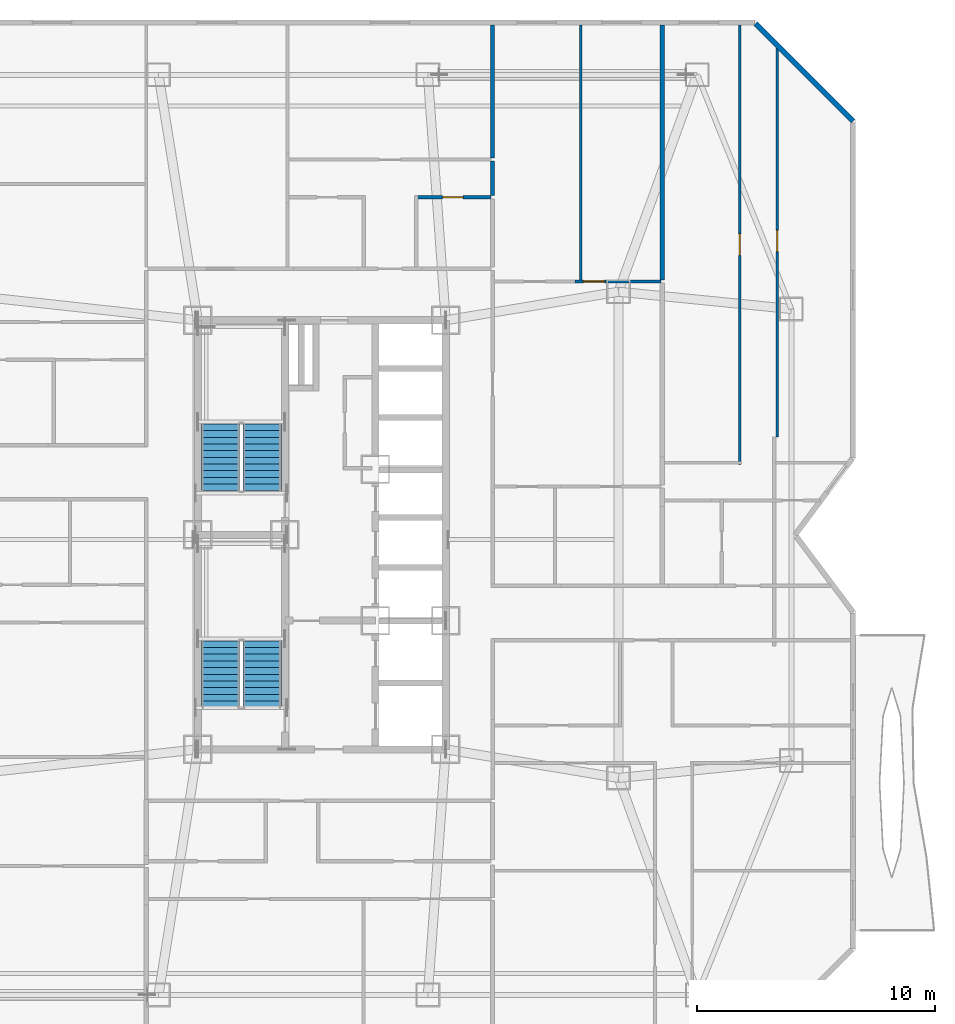
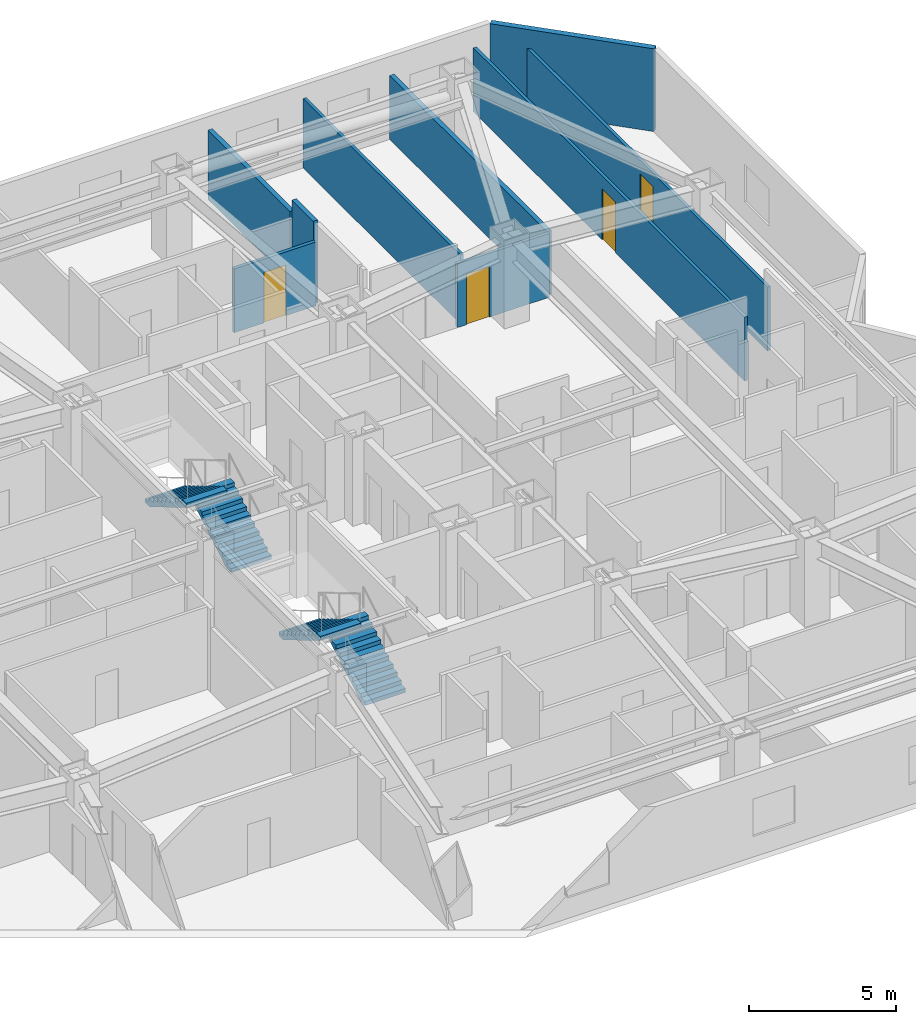
# One storey, part 12 of 14: 9 walls, 4 doors, 4 stair flights, 4 openings, 2 elements without a shape of their own.
"""IFC4 building model written with IfcOpenShell, lengths in metres."""

import ifcopenshell
import ifcopenshell.guid

model = None  # the IFC model being written
_history = None  # IfcOwnerHistory: only IFC2X3 demands one
_inside = {}  # id of a spatial element -> (the spatial element, [elements in it])
_under = {}  # id of a project, library or spatial element -> (it, [spatial elements below it])
_declared = {}  # id of a project -> (the project, [libraries it declares])
_typed = {}  # id of a type object -> (the type object, [elements of that type])
_made_of = {}  # id of a material, layer set ... -> (it, [elements and type objects made of it])


def new_model(schema):
    """Start an empty IFC model of exactly this schema.

    Asked for "IFC4X3", IfcOpenShell would pick the latest addendum, in which some entities
    have other attributes; the version numbers below select the first issue.
    IFC2X3 requires an IfcOwnerHistory on every rooted entity: one is made here for all.
    """
    global model, _history
    if schema == "IFC4X3":
        model = ifcopenshell.file(schema_version=(4, 3, 0, 0))
    else:
        model = ifcopenshell.file(schema=schema)
    _inside.clear()
    _under.clear()
    _declared.clear()
    _typed.clear()
    _made_of.clear()
    _history = None
    if model.schema == "IFC2X3":
        org = make("IfcOrganization", Name="unknown")
        user = make(
            "IfcPersonAndOrganization",
            ThePerson=make("IfcPerson", FamilyName="unknown"),
            TheOrganization=org,
        )
        app = make(
            "IfcApplication",
            ApplicationDeveloper=org,
            Version="unknown",
            ApplicationFullName="unknown",
            ApplicationIdentifier="unknown",
        )
        _history = make(
            "IfcOwnerHistory",
            OwningUser=user,
            OwningApplication=app,
            ChangeAction="ADDED",
            CreationDate=0,
        )
    return model


def make(cls, **values):
    """One entity of the class cls with the attributes given. An attribute that is None is left unset."""
    return model.create_entity(
        cls, **{name: value for name, value in values.items() if value is not None}
    )


def rooted(cls, **values):
    """An entity with a GlobalId (a new one), such as an element, a storey or a relation."""
    return make(cls, GlobalId=ifcopenshell.guid.new(), OwnerHistory=_history, **values)


def si_unit(unit_type, name, prefix=None):
    """IfcSIUnit, for example si_unit("LENGTHUNIT", "METRE", prefix="MILLI")."""
    return make("IfcSIUnit", UnitType=unit_type, Prefix=prefix, Name=name)


def assignment(units):
    """IfcUnitAssignment: the units of a project."""
    return None if units is None else make("IfcUnitAssignment", Units=units)


def point(xyz):
    """IfcCartesianPoint."""
    return None if xyz is None else make("IfcCartesianPoint", Coordinates=xyz)


def direction(xyz):
    """IfcDirection."""
    return None if xyz is None else make("IfcDirection", DirectionRatios=xyz)


def frame(location, z_axis=None, x_axis=None):
    """IfcAxis2Placement3D, a coordinate frame: its origin and axes. An axis left out is left unset."""
    return make(
        "IfcAxis2Placement3D",
        Location=point(location),
        Axis=direction(z_axis),
        RefDirection=direction(x_axis),
    )


def frame_2d(location, x_axis=None):
    """IfcAxis2Placement2D, a coordinate frame in the plane: its origin and x axis."""
    return make(
        "IfcAxis2Placement2D", Location=point(location), RefDirection=direction(x_axis)
    )


def origin():
    """The frame at (0, 0, 0) with its axes left unset."""
    return frame((0.0, 0.0, 0.0))


def place(relative_to, where):
    """IfcLocalPlacement: puts the frame where relative to a parent placement (None: the world)."""
    return make(
        "IfcLocalPlacement", PlacementRelTo=relative_to, RelativePlacement=where
    )


def context(
    kind, dimensions, precision=None, world=None, true_north=None, identifier=None
):
    """IfcGeometricRepresentationContext, for example the 3D "Model" context."""
    return make(
        "IfcGeometricRepresentationContext",
        ContextIdentifier=identifier,
        ContextType=kind,
        CoordinateSpaceDimension=dimensions,
        Precision=precision,
        WorldCoordinateSystem=world,
        TrueNorth=true_north,
    )


def subcontext(parent, identifier, kind, view, scale=None):
    """IfcGeometricRepresentationSubContext, for example "Body" below "Model"."""
    return make(
        "IfcGeometricRepresentationSubContext",
        ContextIdentifier=identifier,
        ContextType=kind,
        ParentContext=parent,
        TargetScale=scale,
        TargetView=view,
    )


def project(units=None, contexts=None):
    """IfcProject with its units and contexts."""
    return rooted(
        "IfcProject",
        Name="project",
        RepresentationContexts=contexts,
        UnitsInContext=assignment(units),
    )


def spatial(cls, under=None, at=None, **own):
    """A site, building, storey or space (cls), placed at a placement, below another one or the project."""
    s = rooted(cls, ObjectPlacement=at, **own)
    if under is not None:
        _under.setdefault(under.id(), (under, []))[1].append(s)
    return s


def polyline(points):
    """IfcPolyline through the points."""
    return make("IfcPolyline", Points=[point(p) for p in points])


def profile(cls, at=None, kind="AREA", **sizes):
    """A parametric profile (cls). Its sizes go by their IFC names, for example OverallWidth=200.0."""
    return make(cls, ProfileType=kind, Position=at, **sizes)


def rectangle(**sizes):
    """IfcRectangleProfileDef."""
    return profile("IfcRectangleProfileDef", **sizes)


def outline(outer, holes=None, kind="AREA"):
    """IfcArbitraryClosedProfileDef: a profile drawn as a closed curve; with holes, ...WithVoids."""
    if holes is None:
        return make("IfcArbitraryClosedProfileDef", ProfileType=kind, OuterCurve=outer)
    return make(
        "IfcArbitraryProfileDefWithVoids",
        ProfileType=kind,
        OuterCurve=outer,
        InnerCurves=holes,
    )


def extrude(swept, where, along, depth):
    """IfcExtrudedAreaSolid: the profile swept, set in the frame where, extruded along a direction by depth."""
    return make(
        "IfcExtrudedAreaSolid",
        SweptArea=swept,
        Position=where,
        ExtrudedDirection=direction(along),
        Depth=depth,
    )


def shape(context_of_items, identifier, shape_type, items):
    """IfcShapeRepresentation: the items that make up one representation, for example the "Body"."""
    return make(
        "IfcShapeRepresentation",
        ContextOfItems=context_of_items,
        RepresentationIdentifier=identifier,
        RepresentationType=shape_type,
        Items=items,
    )


def material(Name=None, Category=None):
    """IfcMaterial."""
    return make("IfcMaterial", Name=Name, Category=Category)


def layer(
    of_material, thickness, ventilated=None, Name=None, Category=None, Priority=None
):
    """IfcMaterialLayer: one layer of a wall or slab, of a material (None: an air gap)."""
    return make(
        "IfcMaterialLayer",
        Material=of_material,
        LayerThickness=thickness,
        IsVentilated=ventilated,
        Name=Name,
        Category=Category,
        Priority=Priority,
    )


def layer_set(layers, Name=None):
    """IfcMaterialLayerSet."""
    return make("IfcMaterialLayerSet", MaterialLayers=layers, LayerSetName=Name)


def made_of(thing, what):
    """Note that an element or type object is made of a material, layer set ...; save() writes the relation."""
    if what is not None:
        _made_of.setdefault(what.id(), (what, []))[1].append(thing)
    return thing


def type_object(cls, material=None, **own):
    """A type object (cls), such as IfcWallType, which elements share."""
    return made_of(rooted(cls, **own), material)


def element(
    cls,
    number,
    at=None,
    inside=None,
    cuts=None,
    type_object=None,
    material=None,
    context=None,
    identifier="Body",
    shape_type=None,
    held_by="IfcProductDefinitionShape",
    body=None,
    shapes=None,
    **own,
):
    """One element of the class cls, such as IfcWall. Its Tag is "e" and its number.

    at: its placement. inside: the storey or other place that contains it. cuts: it is an
    opening in that element (IfcRelVoidsElement). A single representation is given by context,
    identifier, shape_type and body (its items); several are given by shapes. held_by: the class
    of the entity that holds the representations. save() writes the other relations.
    """
    e = rooted(cls, Tag="e%d" % number, ObjectPlacement=at, **own)
    if body is not None:
        shapes = [shape(context, identifier, shape_type, body)]
    if shapes is not None:
        e.Representation = make(held_by, Representations=shapes)
    if inside is not None:
        _inside.setdefault(inside.id(), (inside, []))[1].append(e)
    if cuts is not None:
        rooted(
            "IfcRelVoidsElement", RelatingBuildingElement=cuts, RelatedOpeningElement=e
        )
    if type_object is not None:
        _typed.setdefault(type_object.id(), (type_object, []))[1].append(e)
    return made_of(e, material)


def fill(opening, filler):
    """IfcRelFillsElement: the door or window that sits in an opening."""
    return rooted(
        "IfcRelFillsElement",
        RelatingOpeningElement=opening,
        RelatedBuildingElement=filler,
    )


def aggregate(whole, parts):
    """IfcRelAggregates: a whole, such as a stair, and the parts it consists of."""
    return rooted("IfcRelAggregates", RelatingObject=whole, RelatedObjects=parts)


def save(model, path):
    """Write the relations noted so far, then the file.

    IfcRelAggregates (storeys below a building ...), IfcRelContainedInSpatialStructure (elements
    in a storey), IfcRelDefinesByType, IfcRelAssociatesMaterial and IfcRelDeclares: one each for
    every whole, place, type object, material and project.
    """
    for whole, parts in _under.values():
        aggregate(whole, parts)
    for where, things in _inside.values():
        rooted(
            "IfcRelContainedInSpatialStructure",
            RelatedElements=things,
            RelatingStructure=where,
        )
    for kind, things in _typed.values():
        rooted("IfcRelDefinesByType", RelatedObjects=things, RelatingType=kind)
    for what, things in _made_of.values():
        rooted("IfcRelAssociatesMaterial", RelatedObjects=things, RelatingMaterial=what)
    for by, libraries in _declared.values():
        rooted("IfcRelDeclares", RelatingContext=by, RelatedDefinitions=libraries)
    model.write(path)


model = new_model("IFC4")

# Units and contexts
model_context = context("Model", 3, precision=1e-05, world=origin(), true_north=direction((0.0, 1.0)))
body_context = subcontext(model_context, "Body", "Model", "MODEL_VIEW")
ifc_project = project(units=[si_unit("LENGTHUNIT", "METRE"), si_unit("AREAUNIT", "SQUARE_METRE"), si_unit("VOLUMEUNIT", "CUBIC_METRE"), si_unit("PLANEANGLEUNIT", "RADIAN"), si_unit("MASSUNIT", "GRAM", prefix="KILO")], contexts=[model_context])

# Site, building, storey
site_placement = place(None, origin())
site = spatial("IfcSite", under=ifc_project, at=site_placement, CompositionType="ELEMENT")
building_placement = place(site_placement, origin())
building = spatial("IfcBuilding", under=site, at=building_placement, Name="Khamvora Tower", CompositionType="ELEMENT")
storey_placement = place(building_placement, frame((0.0, 0.0, 123.800048828125)))
storey = spatial("IfcBuildingStorey", under=building, at=storey_placement, Name="L31", CompositionType="ELEMENT", Elevation=123.800048828125)

# Walls
ifc_material_1 = material(Name="Acoustic Double-Stud Fire Wall", Category="gypsum")
ifc_layer_1 = layer(ifc_material_1, 0.179931640625)
ifc_layer_set_1 = layer_set([ifc_layer_1], Name="Acoustic Double-Stud Fire Wall")
wall_type_1 = type_object("IfcWallType", Name="WAL-CORR-180", PredefinedType="STANDARD", material=ifc_layer_set_1)
wall_1_placement = place(storey_placement, frame((41.364990234375, 43.677001953125, 0.0), z_axis=(0.0, 0.0, 1.0), x_axis=(0.0, -1.0, 0.0)))
element("IfcWall", 1, at=wall_1_placement, inside=storey, type_object=wall_type_1, Name="L31 interior partition wall 095", PredefinedType="STANDARD", context=body_context, shape_type="SweptSolid", body=[
    extrude(rectangle(XDim=1.449951171875, YDim=0.179931640625, at=frame_2d((0.72509765625, 0.0))), origin(), (0.0, 0.0, 1.0), 3.429931640625),
])
wall_2_placement = place(storey_placement, frame((41.364990234375, 49.387939453125, 0.0), z_axis=(0.0, 0.0, 1.0), x_axis=(0.0, -1.0, 0.0)))
element("IfcWall", 2, at=wall_2_placement, inside=storey, type_object=wall_type_1, Name="L31 interior partition wall 097", PredefinedType="STANDARD", context=body_context, shape_type="SweptSolid", body=[
    extrude(rectangle(XDim=5.5810546875, YDim=0.179931640625, at=frame_2d((2.79052734375, 0.0))), origin(), (0.0, 0.0, 1.0), 2.8759765625),
])
wall_3_placement = place(storey_placement, frame((48.489990234375, 49.387939453125, 0.0), z_axis=(0.0, 0.0, 1.0), x_axis=(0.0, -1.0, 0.0)))
element("IfcWall", 3, at=wall_3_placement, inside=storey, type_object=wall_type_1, Name="L31 interior partition wall 117", PredefinedType="STANDARD", context=body_context, shape_type="SweptSolid", body=[
    extrude(rectangle(XDim=10.69287109375, YDim=0.179931640625, at=frame_2d((5.346435546875, 0.0))), origin(), (0.0, 0.0, 1.0), 2.64697265625),
])
ifc_material_2 = material(Name="Precast concrete C40/50", Category="concrete")
ifc_layer_2 = layer(ifc_material_2, 0.219970703125)
ifc_layer_set_2 = layer_set([ifc_layer_2], Name="Precast concrete C40/50")
wall_type_2 = type_object("IfcWallType", Name="WAL-EXT-220", PredefinedType="STANDARD", material=ifc_layer_set_2)
wall_4_placement = place(storey_placement, frame((52.402099609375, 49.44189453125, 0.0), z_axis=(0.0, 0.0, 1.0), x_axis=(0.707106781187, -0.707106781187, 0.0)))
element("IfcWall", 4, at=wall_4_placement, inside=storey, type_object=wall_type_2, Name="L31 exterior facade wall 08.1", PredefinedType="STANDARD", context=body_context, shape_type="SweptSolid", body=[
    extrude(rectangle(XDim=5.78125, YDim=0.219970703125, at=frame_2d((2.890625, 0.0))), origin(), (0.0, 0.0, 1.0), 3.429931640625),
])

# Wall, opening, door
ifc_material_3 = material(Name="Gypsum Plasterboard Partition", Category="gypsum")
ifc_layer_3 = layer(ifc_material_3, 0.1201171875)
ifc_layer_set_3 = layer_set([ifc_layer_3], Name="Gypsum Plasterboard Partition")
wall_type_3 = type_object("IfcWallType", Name="WAL-PART-120", PredefinedType="PARTITIONING", material=ifc_layer_set_3)
wall_5_placement = place(storey_placement, frame((44.818115234375, 38.6298828125, 0.0), z_axis=(0.0, 0.0, 1.0), x_axis=(1.0, 0.0, 0.0)))
wall_5 = element("IfcWall", 5, at=wall_5_placement, inside=storey, type_object=wall_type_3, Name="L31 interior partition wall 110", PredefinedType="PARTITIONING", context=body_context, shape_type="SweptSolid", body=[
    extrude(rectangle(XDim=3.60693359375, YDim=0.1201171875, at=frame_2d((1.803466796875, 0.0))), origin(), (0.0, 0.0, 1.0), 2.64697265625),
])
opening_1_placement = place(wall_5_placement, frame((0.35400390625, 0.0, 0.0)))
opening_1 = element("IfcOpeningElement", 6, at=opening_1_placement, cuts=wall_5, Name="Opening D-RM1", PredefinedType="OPENING", context=body_context, shape_type="SweptSolid", body=[
    extrude(rectangle(XDim=0.89990234375, YDim=2.10009765625, at=frame_2d((0.449951171875, 1.050048828125))), frame((0.0, 0.070068359375, 0.0), z_axis=(0.0, -1.0, 0.0), x_axis=(1.0, 0.0, 0.0)), (0.0, 0.0, 1.0), 0.14013671875),
])
ifc_material_4 = material(Name="Powder-Coated Steel and Hardwood Leaf", Category="steel")
door_type_1 = type_object("IfcDoorType", Name="DOR-ROOM-900", OperationType="NOTDEFINED", PredefinedType="DOOR", material=ifc_material_4)
door_1_placement = place(opening_1_placement, origin())
door_1 = element("IfcDoor", 7, at=door_1_placement, inside=storey, type_object=door_type_1, Name="L31 interior door 31EBH-31EBR2", OperationType="SINGLE_SWING_LEFT", OverallHeight=2.10009765625, OverallWidth=0.89990234375, PredefinedType="DOOR", context=body_context, shape_type="SweptSolid", body=[
    extrude(rectangle(XDim=0.89990234375, YDim=2.10009765625, at=frame_2d((0.449951171875, 1.050048828125))), frame((0.0, 0.02490234375, 0.0), z_axis=(0.0, -1.0, 0.0), x_axis=(1.0, 0.0, 0.0)), (0.0, 0.0, 1.0), 0.050048828125),
])
fill(opening_1, door_1)

# Wall
wall_6_placement = place(storey_placement, frame((45.06689453125, 38.68408203125, 0.0), z_axis=(0.0, 0.0, 1.0), x_axis=(0.0, 1.0, 0.0)))
element("IfcWall", 8, at=wall_6_placement, inside=storey, type_object=wall_type_3, Name="L31 interior partition wall 116", PredefinedType="PARTITIONING", context=body_context, shape_type="SweptSolid", body=[
    extrude(rectangle(XDim=10.703857421875, YDim=0.1201171875, at=frame_2d((5.35205078125, 0.0))), origin(), (0.0, 0.0, 1.0), 2.8759765625),
])

# Wall, opening, door
wall_7_placement = place(storey_placement, frame((51.738037109375, 30.9599609375, 0.0), z_axis=(0.0, 0.0, 1.0), x_axis=(0.0, 1.0, 0.0)))
wall_7 = element("IfcWall", 9, at=wall_7_placement, inside=storey, type_object=wall_type_3, Name="L31 interior partition wall 126", PredefinedType="PARTITIONING", context=body_context, shape_type="SweptSolid", body=[
    extrude(rectangle(XDim=18.427978515625, YDim=0.1201171875, at=frame_2d((9.2138671875, 0.0))), origin(), (0.0, 0.0, 1.0), 2.64697265625),
])
opening_2_placement = place(wall_7_placement, frame((8.763916015625, 0.0, 0.0)))
opening_2 = element("IfcOpeningElement", 10, at=opening_2_placement, cuts=wall_7, Name="Opening D-RM1", PredefinedType="OPENING", context=body_context, shape_type="SweptSolid", body=[
    extrude(rectangle(XDim=0.89990234375, YDim=2.10009765625, at=frame_2d((0.449951171875, 1.050048828125))), frame((0.0, 0.070068359375, 0.0), z_axis=(0.0, -1.0, 0.0), x_axis=(1.0, 0.0, 0.0)), (0.0, 0.0, 1.0), 0.14013671875),
])
door_2_placement = place(opening_2_placement, origin())
door_2 = element("IfcDoor", 11, at=door_2_placement, inside=storey, type_object=door_type_1, Name="L31 interior door 31ECH-31ECR1", OperationType="SINGLE_SWING_LEFT", OverallHeight=2.10009765625, OverallWidth=0.89990234375, PredefinedType="DOOR", context=body_context, shape_type="SweptSolid", body=[
    extrude(rectangle(XDim=0.89990234375, YDim=2.10009765625, at=frame_2d((0.449951171875, 1.050048828125))), frame((0.0, 0.02490234375, 0.0), z_axis=(0.0, -1.0, 0.0), x_axis=(1.0, 0.0, 0.0)), (0.0, 0.0, 1.0), 0.050048828125),
])
fill(opening_2, door_2)

wall_8_placement = place(storey_placement, frame((53.306884765625, 48.5458984375, 0.0), z_axis=(0.0, 0.0, 1.0), x_axis=(0.0, -1.0, 0.0)))
wall_8 = element("IfcWall", 12, at=wall_8_placement, inside=storey, type_object=wall_type_3, Name="L31 interior partition wall 127", PredefinedType="PARTITIONING", context=body_context, shape_type="SweptSolid", body=[
    extrude(rectangle(XDim=16.435791015625, YDim=0.1201171875, at=frame_2d((8.2177734375, 0.0))), origin(), (0.0, 0.0, 1.0), 2.64697265625),
])
opening_3_placement = place(wall_8_placement, frame((7.76806640625, 0.0, 0.0)))
opening_3 = element("IfcOpeningElement", 13, at=opening_3_placement, cuts=wall_8, Name="Opening D-RM1", PredefinedType="OPENING", context=body_context, shape_type="SweptSolid", body=[
    extrude(rectangle(XDim=0.89990234375, YDim=2.10009765625, at=frame_2d((0.449951171875, 1.050048828125))), frame((0.0, 0.070068359375, 0.0), z_axis=(0.0, -1.0, 0.0), x_axis=(1.0, 0.0, 0.0)), (0.0, 0.0, 1.0), 0.14013671875),
])
door_3_placement = place(opening_3_placement, origin())
door_3 = element("IfcDoor", 14, at=door_3_placement, inside=storey, type_object=door_type_1, Name="L31 interior door 31ECH-31ECR2", OperationType="SINGLE_SWING_RIGHT", OverallHeight=2.10009765625, OverallWidth=0.89990234375, PredefinedType="DOOR", context=body_context, shape_type="SweptSolid", body=[
    extrude(rectangle(XDim=0.89990234375, YDim=2.10009765625, at=frame_2d((0.449951171875, 1.050048828125))), frame((0.0, 0.02490234375, 0.0), z_axis=(0.0, -1.0, 0.0), x_axis=(1.0, 0.0, 0.0)), (0.0, 0.0, 1.0), 0.050048828125),
])
fill(opening_3, door_3)

ifc_material_5 = material(Name="Moisture-Resistant Plasterboard Partition", Category="gypsum")
ifc_layer_4 = layer(ifc_material_5, 0.135009765625)
ifc_layer_set_4 = layer_set([ifc_layer_4], Name="Moisture-Resistant Plasterboard Partition")
wall_type_4 = type_object("IfcWallType", Name="WAL-WET-135", PredefinedType="PARTITIONING", material=ifc_layer_set_4)
wall_9_placement = place(storey_placement, frame((41.300048828125, 42.162109375, 0.0), z_axis=(0.0, 0.0, 1.0), x_axis=(-1.0, 0.0, 0.0)))
wall_9 = element("IfcWall", 15, at=wall_9_placement, inside=storey, type_object=wall_type_4, Name="L31 interior partition wall 092", PredefinedType="PARTITIONING", context=body_context, shape_type="SweptSolid", body=[
    extrude(rectangle(XDim=3.199951171875, YDim=0.135009765625, at=frame_2d((1.60009765625, 0.0))), origin(), (0.0, 0.0, 1.0), 2.64697265625),
])
opening_4_placement = place(wall_9_placement, frame((1.175048828125, 0.0, 0.0)))
opening_4 = element("IfcOpeningElement", 16, at=opening_4_placement, cuts=wall_9, Name="Opening D-RM2", PredefinedType="OPENING", context=body_context, shape_type="SweptSolid", body=[
    extrude(rectangle(XDim=0.85009765625, YDim=2.10009765625, at=frame_2d((0.425048828125, 1.050048828125))), frame((0.0, 0.077392578125, 0.0), z_axis=(0.0, -1.0, 0.0), x_axis=(1.0, 0.0, 0.0)), (0.0, 0.0, 1.0), 0.155029296875),
])
door_type_2 = type_object("IfcDoorType", Name="DOR-ROOM-850", OperationType="NOTDEFINED", PredefinedType="DOOR", material=ifc_material_4)
door_4_placement = place(opening_4_placement, origin())
door_4 = element("IfcDoor", 17, at=door_4_placement, inside=storey, type_object=door_type_2, Name="L31 interior door 31NAH-31NAK", OperationType="SINGLE_SWING_RIGHT", OverallHeight=2.10009765625, OverallWidth=0.85009765625, PredefinedType="DOOR", context=body_context, shape_type="SweptSolid", body=[
    extrude(rectangle(XDim=0.85009765625, YDim=2.10009765625, at=frame_2d((0.425048828125, 1.050048828125))), frame((0.0, 0.02490234375, 0.0), z_axis=(0.0, -1.0, 0.0), x_axis=(1.0, 0.0, 0.0)), (0.0, 0.0, 1.0), 0.050048828125),
])
fill(opening_4, door_4)

# Stair, stair flights
ifc_material_6 = material(Name="Concrete C40/50", Category="concrete")
stair_type_1 = type_object("IfcStairType", Name="STR-ST-01", PredefinedType="HALF_TURN_STAIR", material=ifc_material_6)
stair_1_placement = place(storey_placement, origin())
stair_1 = element("IfcStair", 18, at=stair_1_placement, inside=storey, type_object=stair_type_1, Name="L31 South Tower Exit Stair ST-01", PredefinedType="HALF_TURN_STAIR")
stair_flight_type_1 = type_object("IfcStairFlightType", Name="STF-ST-01", PredefinedType="STRAIGHT", material=ifc_material_6)
stair_flight_1_placement = place(storey_placement, frame((31.699951171875, 20.75, 0.0), z_axis=(0.0, 0.0, 1.0), x_axis=(0.0, 1.0, 0.0)))
stair_flight_1 = element("IfcStairFlight", 19, at=stair_flight_1_placement, type_object=stair_flight_type_1, Name="ST-01 flight 1", NumberOfRisers=11, NumberOfTreads=10, PredefinedType="STRAIGHT", RiserHeight=0.165909091, TreadLength=0.28, context=body_context, shape_type="SweptSolid", body=[
    extrude(outline(polyline([(0.0, 0.0), (0.0, 0.166015625), (0.280029296875, 0.166015625), (0.280029296875, 0.331787109375), (0.56005859375, 0.331787109375), (0.56005859375, 0.497802734375), (0.840087890625, 0.497802734375), (0.840087890625, 0.66357421875), (1.1201171875, 0.66357421875), (1.1201171875, 0.82958984375), (1.39990234375, 0.82958984375), (1.39990234375, 0.995361328125), (1.679931640625, 0.995361328125), (1.679931640625, 1.161376953125), (1.9599609375, 1.161376953125), (1.9599609375, 1.327392578125), (2.239990234375, 1.327392578125), (2.239990234375, 1.4931640625), (2.52001953125, 1.4931640625), (2.52001953125, 1.6591796875), (2.800048828125, 1.6591796875), (2.800048828125, 1.824951171875), (2.800048828125, 1.48486328125), (0.2939453125, 0.0), (0.0, 0.0)])), frame((0.0, 0.800048828125, 0.0), z_axis=(0.0, -1.0, 0.0), x_axis=(1.0, 0.0, 0.0)), (0.0, 0.0, 1.0), 1.60009765625),
])
stair_flight_2_placement = place(storey_placement, frame((29.949951171875, 23.550048828125, 1.824951171875), z_axis=(0.0, 0.0, 1.0), x_axis=(0.0, -1.0, 0.0)))
stair_flight_2 = element("IfcStairFlight", 20, at=stair_flight_2_placement, type_object=stair_flight_type_1, Name="ST-01 flight 2", NumberOfRisers=11, NumberOfTreads=10, PredefinedType="STRAIGHT", RiserHeight=0.165909091, TreadLength=0.28, context=body_context, shape_type="SweptSolid", body=[
    extrude(outline(polyline([(0.0, 0.0), (0.0, 0.166015625), (0.280029296875, 0.166015625), (0.280029296875, 0.331787109375), (0.56005859375, 0.331787109375), (0.56005859375, 0.497802734375), (0.840087890625, 0.497802734375), (0.840087890625, 0.66357421875), (1.1201171875, 0.66357421875), (1.1201171875, 0.82958984375), (1.39990234375, 0.82958984375), (1.39990234375, 0.995361328125), (1.679931640625, 0.995361328125), (1.679931640625, 1.161376953125), (1.9599609375, 1.161376953125), (1.9599609375, 1.327392578125), (2.239990234375, 1.327392578125), (2.239990234375, 1.4931640625), (2.52001953125, 1.4931640625), (2.52001953125, 1.6591796875), (2.800048828125, 1.6591796875), (2.800048828125, 1.824951171875), (2.800048828125, 1.48486328125), (0.2939453125, 0.0), (0.0, 0.0)])), frame((0.0, 0.800048828125, 0.0), z_axis=(0.0, -1.0, 0.0), x_axis=(1.0, 0.0, 0.0)), (0.0, 0.0, 1.0), 1.60009765625),
])
aggregate(stair_1, [stair_flight_1, stair_flight_2])

stair_type_2 = type_object("IfcStairType", Name="STR-ST-02", PredefinedType="HALF_TURN_STAIR", material=ifc_material_6)
stair_2_placement = place(storey_placement, origin())
stair_2 = element("IfcStair", 21, at=stair_2_placement, inside=storey, type_object=stair_type_2, Name="L31 North Tower Exit Stair ST-02", PredefinedType="HALF_TURN_STAIR")
stair_flight_type_2 = type_object("IfcStairFlightType", Name="STF-ST-02", PredefinedType="STRAIGHT", material=ifc_material_6)
stair_flight_3_placement = place(storey_placement, frame((31.699951171875, 29.85009765625, 0.0), z_axis=(0.0, 0.0, 1.0), x_axis=(0.0, 1.0, 0.0)))
stair_flight_3 = element("IfcStairFlight", 22, at=stair_flight_3_placement, type_object=stair_flight_type_2, Name="ST-02 flight 1", NumberOfRisers=11, NumberOfTreads=10, PredefinedType="STRAIGHT", RiserHeight=0.165909091, TreadLength=0.28, context=body_context, shape_type="SweptSolid", body=[
    extrude(outline(polyline([(0.0, 0.0), (0.0, 0.166015625), (0.280029296875, 0.166015625), (0.280029296875, 0.331787109375), (0.56005859375, 0.331787109375), (0.56005859375, 0.497802734375), (0.840087890625, 0.497802734375), (0.840087890625, 0.66357421875), (1.1201171875, 0.66357421875), (1.1201171875, 0.82958984375), (1.39990234375, 0.82958984375), (1.39990234375, 0.995361328125), (1.679931640625, 0.995361328125), (1.679931640625, 1.161376953125), (1.9599609375, 1.161376953125), (1.9599609375, 1.327392578125), (2.239990234375, 1.327392578125), (2.239990234375, 1.4931640625), (2.52001953125, 1.4931640625), (2.52001953125, 1.6591796875), (2.800048828125, 1.6591796875), (2.800048828125, 1.824951171875), (2.800048828125, 1.48486328125), (0.2939453125, 0.0), (0.0, 0.0)])), frame((0.0, 0.800048828125, 0.0), z_axis=(0.0, -1.0, 0.0), x_axis=(1.0, 0.0, 0.0)), (0.0, 0.0, 1.0), 1.60009765625),
])
stair_flight_4_placement = place(storey_placement, frame((29.949951171875, 32.64990234375, 1.824951171875), z_axis=(0.0, 0.0, 1.0), x_axis=(0.0, -1.0, 0.0)))
stair_flight_4 = element("IfcStairFlight", 23, at=stair_flight_4_placement, type_object=stair_flight_type_2, Name="ST-02 flight 2", NumberOfRisers=11, NumberOfTreads=10, PredefinedType="STRAIGHT", RiserHeight=0.165909091, TreadLength=0.28, context=body_context, shape_type="SweptSolid", body=[
    extrude(outline(polyline([(0.0, 0.0), (0.0, 0.166015625), (0.280029296875, 0.166015625), (0.280029296875, 0.331787109375), (0.56005859375, 0.331787109375), (0.56005859375, 0.497802734375), (0.840087890625, 0.497802734375), (0.840087890625, 0.66357421875), (1.1201171875, 0.66357421875), (1.1201171875, 0.82958984375), (1.39990234375, 0.82958984375), (1.39990234375, 0.995361328125), (1.679931640625, 0.995361328125), (1.679931640625, 1.161376953125), (1.9599609375, 1.161376953125), (1.9599609375, 1.327392578125), (2.239990234375, 1.327392578125), (2.239990234375, 1.4931640625), (2.52001953125, 1.4931640625), (2.52001953125, 1.6591796875), (2.800048828125, 1.6591796875), (2.800048828125, 1.824951171875), (2.800048828125, 1.48486328125), (0.2939453125, 0.0), (0.0, 0.0)])), frame((0.0, 0.800048828125, 0.0), z_axis=(0.0, -1.0, 0.0), x_axis=(1.0, 0.0, 0.0)), (0.0, 0.0, 1.0), 1.60009765625),
])
aggregate(stair_2, [stair_flight_3, stair_flight_4])

save(model, "model.ifc")
